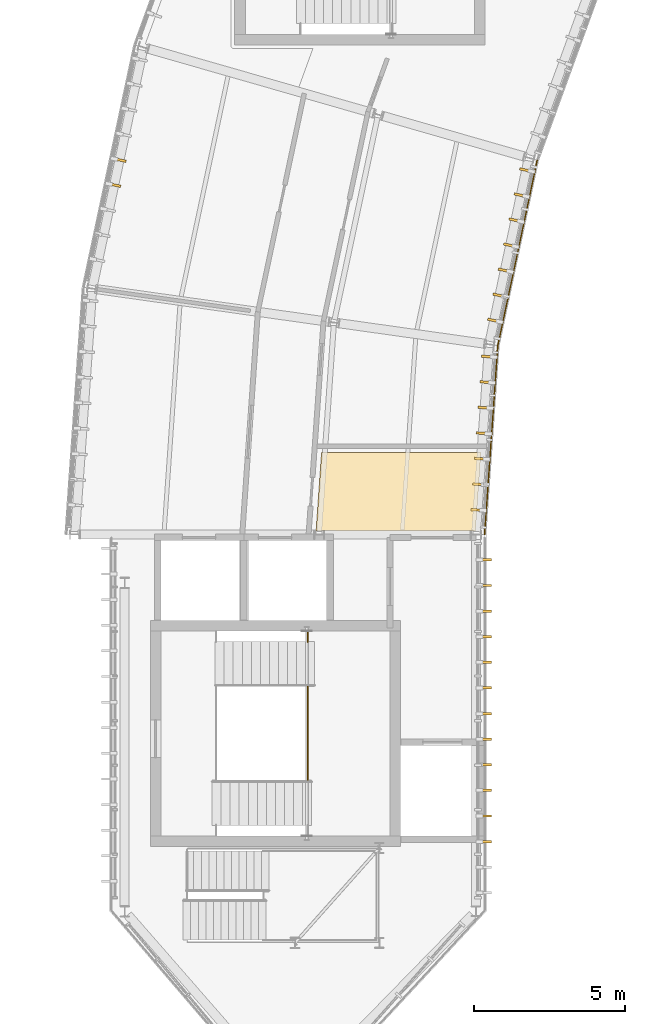
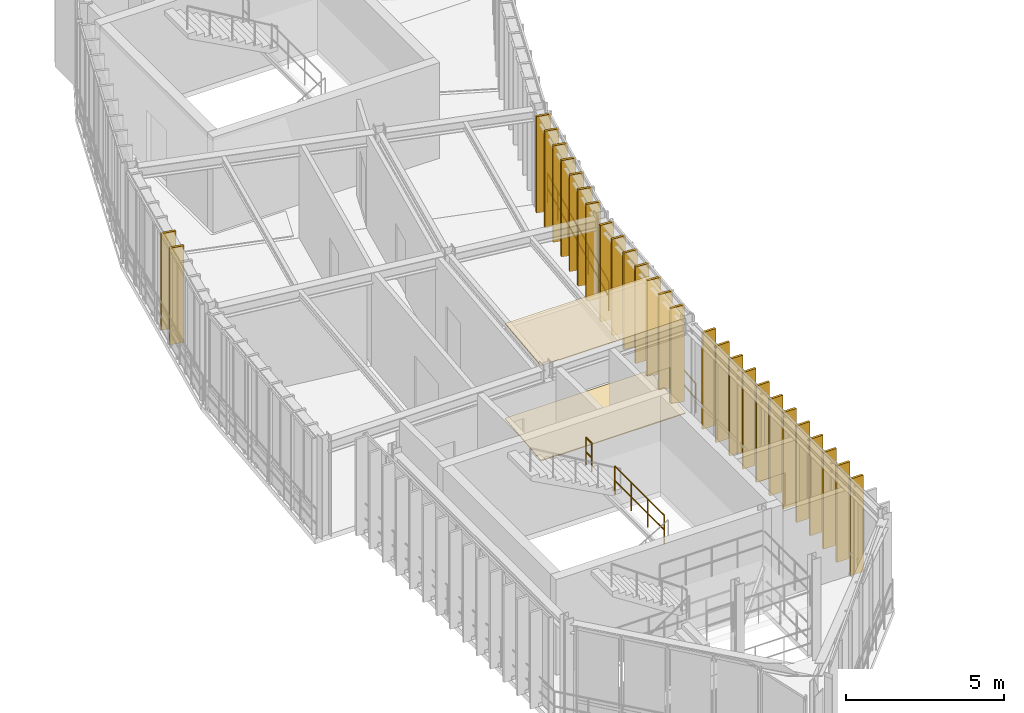
# One storey, part 36 of 41: 30 coverings, 4 railings.
"""IFC4 building model written with IfcOpenShell, lengths in metres."""

from ifc_helpers import new_model, si_unit, direction, frame, origin, origin_2d, place, context, subcontext, project, spatial, polyline, rectangle, circle, outline, extrude, material, layer, layer_set, type_object, element, save


model = new_model("IFC4")

# Units and contexts
model_context = context("Model", 3, precision=1e-05, world=origin(), true_north=direction((0.0, 1.0)))
body_context = subcontext(model_context, "Body", "Model", "MODEL_VIEW")
ifc_project = project(units=[si_unit("LENGTHUNIT", "METRE"), si_unit("AREAUNIT", "SQUARE_METRE"), si_unit("VOLUMEUNIT", "CUBIC_METRE"), si_unit("PLANEANGLEUNIT", "RADIAN"), si_unit("MASSUNIT", "GRAM", prefix="KILO"), si_unit("THERMODYNAMICTEMPERATUREUNIT", "KELVIN"), si_unit("POWERUNIT", "WATT")], contexts=[model_context])

# Site, building, storey
site_placement = place(None, origin())
site = spatial("IfcSite", under=ifc_project, at=site_placement, CompositionType="ELEMENT")
building_placement = place(site_placement, origin())
building = spatial("IfcBuilding", under=site, at=building_placement, Name="Solvatero Civic Police Headquarters", CompositionType="ELEMENT")
storey_placement = place(building_placement, frame((0.0, 0.0, 17.699951171875)))
storey = spatial("IfcBuildingStorey", under=building, at=storey_placement, Name="L04", CompositionType="ELEMENT", Elevation=17.699951171875)

# Coverings
ifc_material_1 = material(Name="Mineral-Fibre Acoustic Tile", Category="gypsum")
ifc_layer_1 = layer(ifc_material_1, 0.02490234375)
ifc_layer_set_1 = layer_set([ifc_layer_1], Name="Mineral-Fibre Acoustic Tile")
covering_type_1 = type_object("IfcCoveringType", Name="COV-CEIL-AC", PredefinedType="CEILING", material=ifc_layer_set_1)
covering_1_placement = place(storey_placement, frame((0.0, 0.0, 3.675048828125)))
element("IfcCovering", 1, at=covering_1_placement, inside=storey, type_object=covering_type_1, Name="Acoustic Ceiling L04 Operations Wing Accessible Restroom", PredefinedType="CEILING", context=body_context, shape_type="SweptSolid", body=[
    extrude(outline(polyline([(44.0126953125, 26.1201171875), (44.0107421875, 26.121826171875), (44.00439453125, 26.12646484375), (43.997802734375, 26.130615234375), (43.990478515625, 26.1337890625), (43.983154296875, 26.13671875), (43.9755859375, 26.138427734375), (43.9677734375, 26.1396484375), (43.9599609375, 26.139892578125), (43.35009765625, 26.139892578125), (43.53125, 28.72998046875), (48.820556640625, 28.72998046875), (48.63818359375, 26.1201171875), (44.0126953125, 26.1201171875)])), origin(), (0.0, 0.0, 1.0), 0.02490234375),
])
ifc_material_2 = material(Name="Anodized Bronze Aluminium", Category="aluminium")
ifc_layer_2 = layer(ifc_material_2, 0.080078125)
ifc_layer_set_2 = layer_set([ifc_layer_2], Name="Anodized Bronze Aluminium")
covering_type_2 = type_object("IfcCoveringType", Name="COV-FIN-480", PredefinedType="CLADDING", material=ifc_layer_set_2)
for number, where, z_axis, x_axis, name in (
    (2, (36.80859375, 38.43359375, -0.02001953125), (0.0, 0.0, 1.0), (-0.207911690818, -0.978147600734, 0.0), "Vertical Brise-Soleil Fin 0942"),
    (3, (36.632080078125, 37.602294921875, -0.02001953125), (0.0, 0.0, 1.0), (-0.207911690818, -0.978147600734, 0.0), "Vertical Brise-Soleil Fin 0943"),
    (4, (50.33837890625, 38.085205078125, -0.02001953125), (0.0, 0.0, 1.0), (-0.207911690818, -0.978147600734, 0.0), "Vertical Brise-Soleil Fin 0947"),
    (5, (50.161865234375, 37.25390625, -0.02001953125), (0.0, 0.0, 1.0), (-0.207911690818, -0.978147600734, 0.0), "Vertical Brise-Soleil Fin 0948"),
    (6, (49.985107421875, 36.422607421875, -0.02001953125), (0.0, 0.0, 1.0), (-0.207911690818, -0.978147600734, 0.0), "Vertical Brise-Soleil Fin 0949"),
    (7, (49.808349609375, 35.591064453125, -0.02001953125), (0.0, 0.0, 1.0), (-0.207911690818, -0.978147600734, 0.0), "Vertical Brise-Soleil Fin 0950"),
    (8, (49.631591796875, 34.759521484375, -0.02001953125), (0.0, 0.0, 1.0), (-0.207911690818, -0.978147600734, 0.0), "Vertical Brise-Soleil Fin 0951"),
    (9, (49.454833984375, 33.92822265625, -0.02001953125), (0.0, 0.0, 1.0), (-0.207911690818, -0.978147600734, 0.0), "Vertical Brise-Soleil Fin 0952"),
    (10, (49.278076171875, 33.0966796875, -0.02001953125), (0.0, 0.0, 1.0), (-0.207911690818, -0.978147600734, 0.0), "Vertical Brise-Soleil Fin 0953"),
    (11, (49.082275390625, 31.901123046875, -0.02001953125), (0.0, 0.0, 1.0), (-0.069773884511, -0.997562832628, 0.0), "Vertical Brise-Soleil Fin 0963"),
    (12, (49.02294921875, 31.05322265625, -0.02001953125), (0.0, 0.0, 1.0), (-0.069773884511, -0.997562832628, 0.0), "Vertical Brise-Soleil Fin 0964"),
    (13, (48.963623046875, 30.205322265625, -0.02001953125), (0.0, 0.0, 1.0), (-0.069773884511, -0.997562832628, 0.0), "Vertical Brise-Soleil Fin 0965"),
    (14, (48.904296875, 29.357421875, -0.02001953125), (0.0, 0.0, 1.0), (-0.069773884511, -0.997562832628, 0.0), "Vertical Brise-Soleil Fin 0966"),
    (15, (48.844970703125, 28.509521484375, -0.02001953125), (0.0, 0.0, 1.0), (-0.069773884511, -0.997562832628, 0.0), "Vertical Brise-Soleil Fin 0967"),
    (16, (48.78564453125, 27.66162109375, -0.02001953125), (0.0, 0.0, 1.0), (-0.069773884511, -0.997562832628, 0.0), "Vertical Brise-Soleil Fin 0968"),
    (17, (48.726318359375, 26.813720703125, -0.02001953125), (0.0, 0.0, 1.0), (-0.069773884511, -0.997562832628, 0.0), "Vertical Brise-Soleil Fin 0969"),
    (18, (48.929931640625, 15.81005859375, -0.02001953125), (0.0, 0.0, 1.0), (0.0, 1.0, 0.0), "Vertical Brise-Soleil Fin 0986"),
    (19, (48.929931640625, 16.659912109375, -0.02001953125), (0.0, 0.0, 1.0), (0.0, 1.0, 0.0), "Vertical Brise-Soleil Fin 0987"),
    (20, (48.929931640625, 17.510009765625, -0.02001953125), (0.0, 0.0, 1.0), (0.0, 1.0, 0.0), "Vertical Brise-Soleil Fin 0988"),
    (21, (48.929931640625, 18.360107421875, -0.02001953125), (0.0, 0.0, 1.0), (0.0, 1.0, 0.0), "Vertical Brise-Soleil Fin 0989"),
    (22, (48.929931640625, 19.2099609375, -0.02001953125), (0.0, 0.0, 1.0), (0.0, 1.0, 0.0), "Vertical Brise-Soleil Fin 0990"),
    (23, (48.929931640625, 20.06005859375, -0.02001953125), (0.0, 0.0, 1.0), (0.0, 1.0, 0.0), "Vertical Brise-Soleil Fin 0991"),
    (24, (48.929931640625, 20.909912109375, -0.02001953125), (0.0, 0.0, 1.0), (0.0, 1.0, 0.0), "Vertical Brise-Soleil Fin 0992"),
    (25, (48.929931640625, 21.760009765625, -0.02001953125), (0.0, 0.0, 1.0), (0.0, 1.0, 0.0), "Vertical Brise-Soleil Fin 0993"),
    (26, (48.929931640625, 22.610107421875, -0.02001953125), (0.0, 0.0, 1.0), (0.0, 1.0, 0.0), "Vertical Brise-Soleil Fin 0994"),
    (27, (48.929931640625, 23.4599609375, -0.02001953125), (0.0, 0.0, 1.0), (0.0, 1.0, 0.0), "Vertical Brise-Soleil Fin 0995"),
    (28, (48.929931640625, 24.31005859375, -0.02001953125), (0.0, 0.0, 1.0), (0.0, 1.0, 0.0), "Vertical Brise-Soleil Fin 0996"),
    (29, (48.929931640625, 25.159912109375, -0.02001953125), (0.0, 0.0, 1.0), (0.0, 1.0, 0.0), "Vertical Brise-Soleil Fin 0997"),
):
    element("IfcCovering", number, at=place(storey_placement, frame(where, z_axis=z_axis, x_axis=x_axis)), inside=storey, type_object=covering_type_2, Name=name, PredefinedType="CLADDING", context=body_context, shape_type="SweptSolid", body=[
        extrude(rectangle(XDim=0.080078125, YDim=0.47998046875, at=origin_2d()), origin(), (0.0, 0.0, 1.0), 3.739990234375),
    ])
ifc_material_3 = material(Name="Venetian Terrazzo Stone", Category="masonry")
ifc_layer_3 = layer(ifc_material_3, 0.034912109375)
ifc_layer_set_3 = layer_set([ifc_layer_3], Name="Venetian Terrazzo Stone")
covering_type_3 = type_object("IfcCoveringType", Name="COV-FLR-TER", PredefinedType="FLOORING", material=ifc_layer_set_3)
covering_2_placement = place(storey_placement, origin())
element("IfcCovering", 30, at=covering_2_placement, inside=storey, type_object=covering_type_3, Name="Flooring L04 Operations Wing Accessible Restroom", PredefinedType="FLOORING", context=body_context, shape_type="SweptSolid", body=[
    extrude(outline(polyline([(44.0126953125, 26.1201171875), (44.0107421875, 26.121826171875), (44.00439453125, 26.12646484375), (43.997802734375, 26.130615234375), (43.990478515625, 26.1337890625), (43.983154296875, 26.13671875), (43.9755859375, 26.138427734375), (43.9677734375, 26.1396484375), (43.9599609375, 26.139892578125), (43.35009765625, 26.139892578125), (43.53125, 28.72998046875), (48.820556640625, 28.72998046875), (48.63818359375, 26.1201171875), (44.0126953125, 26.1201171875)])), origin(), (0.0, 0.0, 1.0), 0.03515625),
])

# Railings
ifc_material_4 = material(Name="Anodized Bronze and Laminated Glass", Category="glass")
railing_type_1 = type_object("IfcRailingType", Name="RL-BAL-115", PredefinedType="BALUSTRADE", material=ifc_material_4)
railing_1_placement = place(storey_placement, frame((50.685546875, 38.420166015625, 0.0)))
element("IfcRailing", 31, at=railing_1_placement, inside=storey, type_object=railing_type_1, Name="Glazed Facade Sill Balustrade RL-L04-ARCIN-B11", PredefinedType="BALUSTRADE", context=body_context, shape_type="SweptSolid", body=[
    extrude(circle(Radius=0.02392578125, at=origin_2d()), frame((0.0, 0.0, 1.1259765625), z_axis=(-0.207924245306, -0.978144932111, 0.0), x_axis=(0.978144932111, -0.207924245306, 0.0)), (0.0, 0.0, 1.0), 6.28662109375),
    extrude(circle(Radius=0.02392578125, at=origin_2d()), frame((0.0, 0.0, 0.55078125), z_axis=(-0.207924245306, -0.978144932111, 0.0), x_axis=(0.978144932111, -0.207924245306, 0.0)), (0.0, 0.0, 1.0), 6.28662109375),
    extrude(circle(Radius=0.02099609375, at=origin_2d()), origin(), (0.0, 0.0, 1.0), 1.101806640625),
    extrude(circle(Radius=0.02099609375, at=origin_2d()), frame((-0.2177734375, -1.02490234375, 0.0)), (0.0, 0.0, 1.0), 1.101806640625),
    extrude(circle(Radius=0.02099609375, at=origin_2d()), frame((-0.435791015625, -2.0498046875, 0.0)), (0.0, 0.0, 1.0), 1.101806640625),
    extrude(circle(Radius=0.02099609375, at=origin_2d()), frame((-0.653564453125, -3.07470703125, 0.0)), (0.0, 0.0, 1.0), 1.101806640625),
    extrude(circle(Radius=0.02099609375, at=origin_2d()), frame((-0.871337890625, -4.099365234375, 0.0)), (0.0, 0.0, 1.0), 1.101806640625),
    extrude(circle(Radius=0.02099609375, at=origin_2d()), frame((-1.08935546875, -5.124267578125, 0.0)), (0.0, 0.0, 1.0), 1.101806640625),
    extrude(circle(Radius=0.02099609375, at=origin_2d()), frame((-1.30712890625, -6.149169921875, 0.0)), (0.0, 0.0, 1.0), 1.101806640625),
])
railing_2_placement = place(storey_placement, frame((49.37841796875, 32.27099609375, 0.0)))
element("IfcRailing", 32, at=railing_2_placement, inside=storey, type_object=railing_type_1, Name="Glazed Facade Sill Balustrade RL-L04-ARCIN-B12", PredefinedType="BALUSTRADE", context=body_context, shape_type="SweptSolid", body=[
    extrude(circle(Radius=0.02392578125, at=origin_2d()), frame((0.0, 0.0, 1.1259765625), z_axis=(-0.069751059496, -0.997564428846, 0.0), x_axis=(0.997564428846, -0.069751059496, 0.0)), (0.0, 0.0, 1.0), 6.286376953125),
    extrude(circle(Radius=0.02392578125, at=origin_2d()), frame((0.0, 0.0, 0.55078125), z_axis=(-0.069751059496, -0.997564428846, 0.0), x_axis=(0.997564428846, -0.069751059496, 0.0)), (0.0, 0.0, 1.0), 6.286376953125),
    extrude(circle(Radius=0.02099609375, at=origin_2d()), origin(), (0.0, 0.0, 1.0), 1.101806640625),
    extrude(circle(Radius=0.02099609375, at=origin_2d()), frame((-0.072998046875, -1.045166015625, 0.0)), (0.0, 0.0, 1.0), 1.101806640625),
    extrude(circle(Radius=0.02099609375, at=origin_2d()), frame((-0.146240234375, -2.09033203125, 0.0)), (0.0, 0.0, 1.0), 1.101806640625),
    extrude(circle(Radius=0.02099609375, at=origin_2d()), frame((-0.21923828125, -3.135498046875, 0.0)), (0.0, 0.0, 1.0), 1.101806640625),
    extrude(circle(Radius=0.02099609375, at=origin_2d()), frame((-0.292236328125, -4.1806640625, 0.0)), (0.0, 0.0, 1.0), 1.101806640625),
    extrude(circle(Radius=0.02099609375, at=origin_2d()), frame((-0.365478515625, -5.225830078125, 0.0)), (0.0, 0.0, 1.0), 1.101806640625),
    extrude(circle(Radius=0.02099609375, at=origin_2d()), frame((-0.4384765625, -6.27099609375, 0.0)), (0.0, 0.0, 1.0), 1.101806640625),
])
ifc_material_5 = material(Name="Painted Galvanized Steel", Category="steel")
railing_type_2 = type_object("IfcRailingType", Name="RL-GRD-110", PredefinedType="GUARDRAIL", material=ifc_material_5)
railing_3_placement = place(storey_placement, frame((43.070068359375, 17.830078125, 1.949951171875)))
element("IfcRailing", 33, at=railing_3_placement, inside=storey, type_object=railing_type_2, Name="ST-C1 L04 Half-Landing Well Guardrail", PredefinedType="GUARDRAIL", context=body_context, shape_type="SweptSolid", body=[
    extrude(circle(Radius=0.02392578125, at=origin_2d()), frame((0.0, 0.0, 1.09619140625), z_axis=(0.0, 1.0, 0.0), x_axis=(-1.0, 0.0, 0.0)), (0.0, 0.0, 1.0), 3.139892578125),
    extrude(circle(Radius=0.02392578125, at=origin_2d()), frame((0.0, 0.0, 0.5361328125), z_axis=(0.0, 1.0, 0.0), x_axis=(-1.0, 0.0, 0.0)), (0.0, 0.0, 1.0), 3.139892578125),
    extrude(circle(Radius=0.02099609375, at=origin_2d()), origin(), (0.0, 0.0, 1.0), 1.072021484375),
    extrude(circle(Radius=0.02099609375, at=origin_2d()), frame((0.0, 1.046630859375, 0.0)), (0.0, 0.0, 1.0), 1.072021484375),
    extrude(circle(Radius=0.02099609375, at=origin_2d()), frame((0.0, 2.09326171875, 0.0)), (0.0, 0.0, 1.0), 1.072021484375),
    extrude(circle(Radius=0.02099609375, at=origin_2d()), frame((0.0, 3.139892578125, 0.0)), (0.0, 0.0, 1.0), 1.072021484375),
])
railing_4_placement = place(storey_placement, frame((43.070068359375, 22.429931640625, 1.949951171875)))
element("IfcRailing", 34, at=railing_4_placement, inside=storey, type_object=railing_type_2, Name="ST-C1 L04 Half-Landing North Slot Guardrail", PredefinedType="GUARDRAIL", context=body_context, shape_type="SweptSolid", body=[
    extrude(circle(Radius=0.02392578125, at=origin_2d()), frame((0.0, 0.0, 1.09619140625), z_axis=(0.0, 1.0, 0.0), x_axis=(-1.0, 0.0, 0.0)), (0.0, 0.0, 1.0), 0.360107421875),
    extrude(circle(Radius=0.02392578125, at=origin_2d()), frame((0.0, 0.0, 0.5361328125), z_axis=(0.0, 1.0, 0.0), x_axis=(-1.0, 0.0, 0.0)), (0.0, 0.0, 1.0), 0.360107421875),
    extrude(circle(Radius=0.02099609375, at=origin_2d()), origin(), (0.0, 0.0, 1.0), 1.072021484375),
    extrude(circle(Radius=0.02099609375, at=origin_2d()), frame((0.0, 0.360107421875, 0.0)), (0.0, 0.0, 1.0), 1.072021484375),
])

save(model, "model.ifc")
